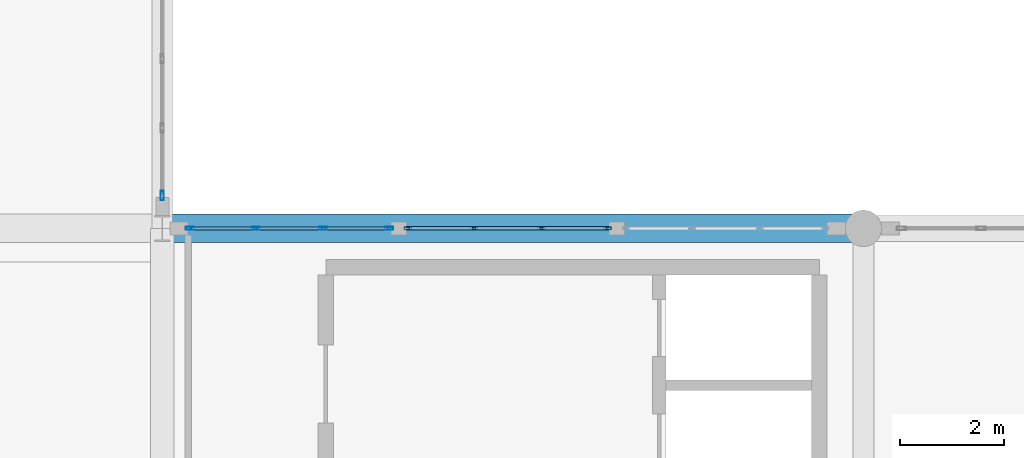
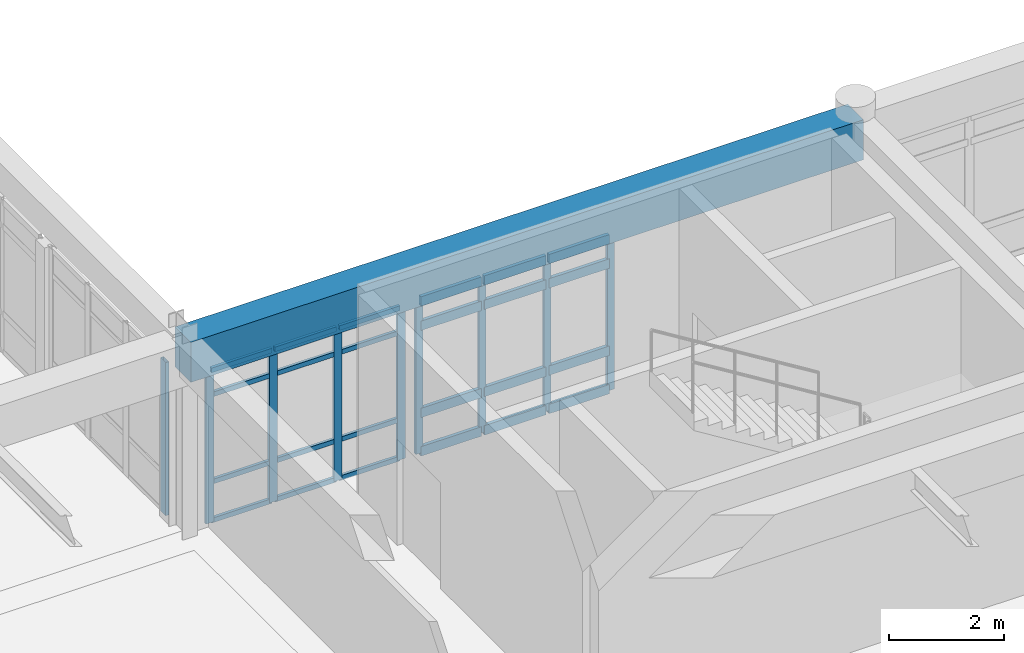
# One storey, part 25 of 80: 33 members, 1 beam, 3 elements without a shape of their own.
"""IFC4 building model written with IfcOpenShell, lengths in metres."""

from ifc_helpers import new_model, si_unit, direction, frame, origin, origin_2d, place, context, subcontext, project, spatial, rectangle, hollow_rectangle, extrude, material, layer, layer_set, material_profile, profile_set, type_object, element, aggregate, save


model = new_model("IFC4")

# Units and contexts
model_context = context("Model", 3, precision=1e-05, world=origin(), true_north=direction((0.0, 1.0)))
body_context = subcontext(model_context, "Body", "Model", "MODEL_VIEW")
ifc_project = project(units=[si_unit("LENGTHUNIT", "METRE"), si_unit("AREAUNIT", "SQUARE_METRE"), si_unit("VOLUMEUNIT", "CUBIC_METRE"), si_unit("PLANEANGLEUNIT", "RADIAN"), si_unit("MASSUNIT", "GRAM", prefix="KILO")], contexts=[model_context])

# Site, building, storey
site_placement = place(None, origin())
site = spatial("IfcSite", under=ifc_project, at=site_placement, CompositionType="ELEMENT")
building_placement = place(site_placement, origin())
building = spatial("IfcBuilding", under=site, at=building_placement, Name="Fikremerkos Civic Library", CompositionType="ELEMENT")
storey_placement = place(building_placement, frame((0.0, 0.0, 9.89990234375)))
storey = spatial("IfcBuildingStorey", under=building, at=storey_placement, Name="L02", CompositionType="ELEMENT", Elevation=9.89990234375)

# Curtain wall, member
ifc_material_1 = material(Name="Anodized aluminium Frame", Category="aluminium")
ifc_layer_1 = layer(ifc_material_1, 0.159912109375, Name="Anodized aluminium Frame")
ifc_layer_set_1 = layer_set([ifc_layer_1], Name="Anodized aluminium Frame")
curtain_wall_type_1 = type_object("IfcCurtainWallType", Name="Unitised curtain wall CW-05 3800x4100", PredefinedType="USERDEFINED", material=ifc_layer_set_1)
curtain_wall_1_placement = place(storey_placement, origin())
curtain_wall_1 = element("IfcCurtainWall", 1, at=curtain_wall_1_placement, inside=storey, type_object=curtain_wall_type_1, Name="Unitised curtain wall CW-05 L02 #167", ObjectType="UNITISED CURTAIN WALL", PredefinedType="USERDEFINED")
ifc_material_profile_1 = material_profile(ifc_material_1, hollow_rectangle(XDim=0.06494140625, YDim=0.179931640625, WallThickness=0.00439453125, at=origin_2d()), Name="ALU 180x65x4.5")
ifc_profile_set_1 = profile_set([ifc_material_profile_1], Name="Anodized aluminium Frame")
member_type_1 = type_object("IfcMemberType", Name="Curtain mullion CWM-01 ALU 180x65x4.5", PredefinedType="MULLION", material=ifc_profile_set_1)
member_1_placement = place(storey_placement, frame((100.199951171875, 31.83056640625, 0.0), z_axis=(0.0, 0.0, 1.0), x_axis=(1.0, 0.0, 0.0)))
member_1 = element("IfcMember", 2, at=member_1_placement, type_object=member_type_1, Name="CW-05 mullion 4", PredefinedType="MULLION", context=body_context, shape_type="SweptSolid", body=[
    extrude(hollow_rectangle(XDim=0.06494140625, YDim=0.179931640625, WallThickness=0.00439453125, at=origin_2d()), origin(), (0.0, 0.0, 1.0), 3.25),
])
aggregate(curtain_wall_1, [member_1])

# Curtain wall, members
ifc_layer_2 = layer(ifc_material_1, 0.159912109375, Name="Anodized aluminium Frame")
ifc_layer_set_2 = layer_set([ifc_layer_2], Name="Anodized aluminium Frame")
curtain_wall_type_2 = type_object("IfcCurtainWallType", Name="Unitised curtain wall CW-06 4200x4100", PredefinedType="USERDEFINED", material=ifc_layer_set_2)
curtain_wall_2_placement = place(storey_placement, origin())
curtain_wall_2 = element("IfcCurtainWall", 3, at=curtain_wall_2_placement, inside=storey, type_object=curtain_wall_type_2, Name="Unitised curtain wall CW-06 L02 #168", ObjectType="UNITISED CURTAIN WALL", PredefinedType="USERDEFINED")
ifc_material_profile_2 = material_profile(ifc_material_1, hollow_rectangle(XDim=0.06005859375, YDim=0.159912109375, WallThickness=0.00390625, at=origin_2d()), Name="ALU 160x60x4")
ifc_profile_set_2 = profile_set([ifc_material_profile_2], Name="Anodized aluminium Frame")
member_type_2 = type_object("IfcMemberType", Name="Curtain mullion CWM-02 ALU 160x60x4", PredefinedType="MULLION", material=ifc_profile_set_2)
member_2_placement = place(storey_placement, frame((100.72802734375, 31.199951171875, 0.0), z_axis=(0.0, 0.0, 1.0), x_axis=(0.0, 1.0, 0.0)))
member_2 = element("IfcMember", 4, at=member_2_placement, type_object=member_type_2, Name="CW-06 mullion 1", PredefinedType="MULLION", context=body_context, shape_type="SweptSolid", body=[
    extrude(hollow_rectangle(XDim=0.06005859375, YDim=0.159912109375, WallThickness=0.00390625, at=origin_2d()), origin(), (0.0, 0.0, 1.0), 3.25),
])
member_3_placement = place(storey_placement, frame((101.99853515625, 31.199951171875, 0.0), z_axis=(0.0, 0.0, 1.0), x_axis=(0.0, 1.0, 0.0)))
member_3 = element("IfcMember", 5, at=member_3_placement, type_object=member_type_2, Name="CW-06 mullion 2", PredefinedType="MULLION", context=body_context, shape_type="SweptSolid", body=[
    extrude(hollow_rectangle(XDim=0.06005859375, YDim=0.159912109375, WallThickness=0.00390625, at=origin_2d()), origin(), (0.0, 0.0, 1.0), 3.25),
])
member_4_placement = place(storey_placement, frame((103.298828125, 31.199951171875, 0.0), z_axis=(0.0, 0.0, 1.0), x_axis=(0.0, 1.0, 0.0)))
member_4 = element("IfcMember", 6, at=member_4_placement, type_object=member_type_2, Name="CW-06 mullion 3", PredefinedType="MULLION", context=body_context, shape_type="SweptSolid", body=[
    extrude(hollow_rectangle(XDim=0.06005859375, YDim=0.159912109375, WallThickness=0.00390625, at=origin_2d()), origin(), (0.0, 0.0, 1.0), 3.25),
])
member_5_placement = place(storey_placement, frame((104.5693359375, 31.199951171875, 0.0), z_axis=(0.0, 0.0, 1.0), x_axis=(0.0, 1.0, 0.0)))
member_5 = element("IfcMember", 7, at=member_5_placement, type_object=member_type_2, Name="CW-06 mullion 4", PredefinedType="MULLION", context=body_context, shape_type="SweptSolid", body=[
    extrude(hollow_rectangle(XDim=0.06005859375, YDim=0.159912109375, WallThickness=0.00390625, at=origin_2d()), origin(), (0.0, 0.0, 1.0), 3.25),
])

ifc_layer_3 = layer(ifc_material_1, 0.159912109375, Name="Anodized aluminium Frame")
ifc_layer_set_3 = layer_set([ifc_layer_3], Name="Anodized aluminium Frame")
curtain_wall_type_3 = type_object("IfcCurtainWallType", Name="Unitised curtain wall CW-07 3500x4100", PredefinedType="USERDEFINED", material=ifc_layer_set_3)
curtain_wall_3_placement = place(storey_placement, origin())
curtain_wall_3 = element("IfcCurtainWall", 8, at=curtain_wall_3_placement, inside=storey, type_object=curtain_wall_type_3, Name="Unitised curtain wall CW-07 L02 #169", ObjectType="UNITISED CURTAIN WALL", PredefinedType="USERDEFINED")
ifc_material_profile_3 = material_profile(ifc_material_1, hollow_rectangle(XDim=0.06005859375, YDim=0.139892578125, WallThickness=0.00390625, at=origin_2d()), Name="ALU 140x60x4")
ifc_profile_set_3 = profile_set([ifc_material_profile_3], Name="Anodized aluminium Frame")
member_type_3 = type_object("IfcMemberType", Name="Curtain mullion CWM-03 ALU 140x60x4", PredefinedType="MULLION", material=ifc_profile_set_3)
member_6_placement = place(storey_placement, frame((104.929443359375, 31.199951171875, 0.0), z_axis=(0.0, 0.0, 1.0), x_axis=(0.0, 1.0, 0.0)))
member_6 = element("IfcMember", 9, at=member_6_placement, type_object=member_type_3, Name="CW-07 mullion 1", PredefinedType="MULLION", context=body_context, shape_type="SweptSolid", body=[
    extrude(hollow_rectangle(XDim=0.06005859375, YDim=0.139892578125, WallThickness=0.00390625, at=origin_2d()), origin(), (0.0, 0.0, 1.0), 3.25),
])
member_7_placement = place(storey_placement, frame((106.19970703125, 31.199951171875, 0.0), z_axis=(0.0, 0.0, 1.0), x_axis=(0.0, 1.0, 0.0)))
member_7 = element("IfcMember", 10, at=member_7_placement, type_object=member_type_3, Name="CW-07 mullion 2", PredefinedType="MULLION", context=body_context, shape_type="SweptSolid", body=[
    extrude(hollow_rectangle(XDim=0.06005859375, YDim=0.139892578125, WallThickness=0.00390625, at=origin_2d()), origin(), (0.0, 0.0, 1.0), 3.25),
])
member_8_placement = place(storey_placement, frame((107.500244140625, 31.199951171875, 0.0), z_axis=(0.0, 0.0, 1.0), x_axis=(0.0, 1.0, 0.0)))
member_8 = element("IfcMember", 11, at=member_8_placement, type_object=member_type_3, Name="CW-07 mullion 3", PredefinedType="MULLION", context=body_context, shape_type="SweptSolid", body=[
    extrude(hollow_rectangle(XDim=0.06005859375, YDim=0.139892578125, WallThickness=0.00390625, at=origin_2d()), origin(), (0.0, 0.0, 1.0), 3.25),
])
member_9_placement = place(storey_placement, frame((108.770751953125, 31.199951171875, 0.0), z_axis=(0.0, 0.0, 1.0), x_axis=(0.0, 1.0, 0.0)))
member_9 = element("IfcMember", 12, at=member_9_placement, type_object=member_type_3, Name="CW-07 mullion 4", PredefinedType="MULLION", context=body_context, shape_type="SweptSolid", body=[
    extrude(hollow_rectangle(XDim=0.06005859375, YDim=0.139892578125, WallThickness=0.00390625, at=origin_2d()), origin(), (0.0, 0.0, 1.0), 3.25),
])

# Member
ifc_material_profile_4 = material_profile(ifc_material_1, hollow_rectangle(XDim=0.06005859375, YDim=0.10009765625, WallThickness=0.00390625, at=origin_2d()), Name="ALU 100x60x4")
ifc_profile_set_4 = profile_set([ifc_material_profile_4], Name="Anodized aluminium Frame")
member_type_4 = type_object("IfcMemberType", Name="Curtain transom CWT-03 ALU 100x60x4", PredefinedType="USERDEFINED", material=ifc_profile_set_4)
member_10_placement = place(storey_placement, frame((100.758056640625, 31.199951171875, 0.030029296875), z_axis=(1.0, 0.0, 0.0), x_axis=(0.0, 1.0, 0.0)))
member_10 = element("IfcMember", 13, at=member_10_placement, type_object=member_type_4, Name="CW-06 transom 1.1", ObjectType="TRANSOM", PredefinedType="USERDEFINED", context=body_context, shape_type="SweptSolid", body=[
    extrude(hollow_rectangle(XDim=0.06005859375, YDim=0.10009765625, WallThickness=0.00390625, at=origin_2d()), origin(), (0.0, 0.0, 1.0), 1.21044921875),
])

member_11_placement = place(storey_placement, frame((100.758056640625, 31.199951171875, 0.85009765625), z_axis=(1.0, 0.0, 0.0), x_axis=(0.0, 1.0, 0.0)))
member_11 = element("IfcMember", 14, at=member_11_placement, type_object=member_type_4, Name="CW-06 transom 1.2", ObjectType="TRANSOM", PredefinedType="USERDEFINED", context=body_context, shape_type="SweptSolid", body=[
    extrude(hollow_rectangle(XDim=0.06005859375, YDim=0.10009765625, WallThickness=0.00390625, at=origin_2d()), origin(), (0.0, 0.0, 1.0), 1.21044921875),
])

member_12_placement = place(storey_placement, frame((100.758056640625, 31.199951171875, 2.7001953125), z_axis=(1.0, 0.0, 0.0), x_axis=(0.0, 1.0, 0.0)))
member_12 = element("IfcMember", 15, at=member_12_placement, type_object=member_type_4, Name="CW-06 transom 1.3", ObjectType="TRANSOM", PredefinedType="USERDEFINED", context=body_context, shape_type="SweptSolid", body=[
    extrude(hollow_rectangle(XDim=0.06005859375, YDim=0.10009765625, WallThickness=0.00390625, at=origin_2d()), origin(), (0.0, 0.0, 1.0), 1.21044921875),
])

member_13_placement = place(storey_placement, frame((100.758056640625, 31.199951171875, 3.22021484375), z_axis=(1.0, 0.0, 0.0), x_axis=(0.0, 1.0, 0.0)))
member_13 = element("IfcMember", 16, at=member_13_placement, type_object=member_type_4, Name="CW-06 transom 1.4", ObjectType="TRANSOM", PredefinedType="USERDEFINED", context=body_context, shape_type="SweptSolid", body=[
    extrude(hollow_rectangle(XDim=0.06005859375, YDim=0.10009765625, WallThickness=0.00390625, at=origin_2d()), origin(), (0.0, 0.0, 1.0), 1.21044921875),
])

member_14_placement = place(storey_placement, frame((102.028564453125, 31.199951171875, 0.030029296875), z_axis=(1.0, 0.0, 0.0), x_axis=(0.0, 1.0, 0.0)))
member_14 = element("IfcMember", 17, at=member_14_placement, type_object=member_type_4, Name="CW-06 transom 2.1", ObjectType="TRANSOM", PredefinedType="USERDEFINED", context=body_context, shape_type="SweptSolid", body=[
    extrude(hollow_rectangle(XDim=0.06005859375, YDim=0.10009765625, WallThickness=0.00390625, at=origin_2d()), origin(), (0.0, 0.0, 1.0), 1.240234375),
])

member_15_placement = place(storey_placement, frame((102.028564453125, 31.199951171875, 0.85009765625), z_axis=(1.0, 0.0, 0.0), x_axis=(0.0, 1.0, 0.0)))
member_15 = element("IfcMember", 18, at=member_15_placement, type_object=member_type_4, Name="CW-06 transom 2.2", ObjectType="TRANSOM", PredefinedType="USERDEFINED", context=body_context, shape_type="SweptSolid", body=[
    extrude(hollow_rectangle(XDim=0.06005859375, YDim=0.10009765625, WallThickness=0.00390625, at=origin_2d()), origin(), (0.0, 0.0, 1.0), 1.240234375),
])

member_16_placement = place(storey_placement, frame((102.028564453125, 31.199951171875, 2.7001953125), z_axis=(1.0, 0.0, 0.0), x_axis=(0.0, 1.0, 0.0)))
member_16 = element("IfcMember", 19, at=member_16_placement, type_object=member_type_4, Name="CW-06 transom 2.3", ObjectType="TRANSOM", PredefinedType="USERDEFINED", context=body_context, shape_type="SweptSolid", body=[
    extrude(hollow_rectangle(XDim=0.06005859375, YDim=0.10009765625, WallThickness=0.00390625, at=origin_2d()), origin(), (0.0, 0.0, 1.0), 1.240234375),
])

member_17_placement = place(storey_placement, frame((102.028564453125, 31.199951171875, 3.22021484375), z_axis=(1.0, 0.0, 0.0), x_axis=(0.0, 1.0, 0.0)))
member_17 = element("IfcMember", 20, at=member_17_placement, type_object=member_type_4, Name="CW-06 transom 2.4", ObjectType="TRANSOM", PredefinedType="USERDEFINED", context=body_context, shape_type="SweptSolid", body=[
    extrude(hollow_rectangle(XDim=0.06005859375, YDim=0.10009765625, WallThickness=0.00390625, at=origin_2d()), origin(), (0.0, 0.0, 1.0), 1.240234375),
])

member_18_placement = place(storey_placement, frame((103.328857421875, 31.199951171875, 0.030029296875), z_axis=(1.0, 0.0, 0.0), x_axis=(0.0, 1.0, 0.0)))
member_18 = element("IfcMember", 21, at=member_18_placement, type_object=member_type_4, Name="CW-06 transom 3.1", ObjectType="TRANSOM", PredefinedType="USERDEFINED", context=body_context, shape_type="SweptSolid", body=[
    extrude(hollow_rectangle(XDim=0.06005859375, YDim=0.10009765625, WallThickness=0.00390625, at=origin_2d()), origin(), (0.0, 0.0, 1.0), 1.21044921875),
])

member_19_placement = place(storey_placement, frame((103.328857421875, 31.199951171875, 0.85009765625), z_axis=(1.0, 0.0, 0.0), x_axis=(0.0, 1.0, 0.0)))
member_19 = element("IfcMember", 22, at=member_19_placement, type_object=member_type_4, Name="CW-06 transom 3.2", ObjectType="TRANSOM", PredefinedType="USERDEFINED", context=body_context, shape_type="SweptSolid", body=[
    extrude(hollow_rectangle(XDim=0.06005859375, YDim=0.10009765625, WallThickness=0.00390625, at=origin_2d()), origin(), (0.0, 0.0, 1.0), 1.21044921875),
])

member_20_placement = place(storey_placement, frame((103.328857421875, 31.199951171875, 2.7001953125), z_axis=(1.0, 0.0, 0.0), x_axis=(0.0, 1.0, 0.0)))
member_20 = element("IfcMember", 23, at=member_20_placement, type_object=member_type_4, Name="CW-06 transom 3.3", ObjectType="TRANSOM", PredefinedType="USERDEFINED", context=body_context, shape_type="SweptSolid", body=[
    extrude(hollow_rectangle(XDim=0.06005859375, YDim=0.10009765625, WallThickness=0.00390625, at=origin_2d()), origin(), (0.0, 0.0, 1.0), 1.21044921875),
])

member_21_placement = place(storey_placement, frame((103.328857421875, 31.199951171875, 3.22021484375), z_axis=(1.0, 0.0, 0.0), x_axis=(0.0, 1.0, 0.0)))
member_21 = element("IfcMember", 24, at=member_21_placement, type_object=member_type_4, Name="CW-06 transom 3.4", ObjectType="TRANSOM", PredefinedType="USERDEFINED", context=body_context, shape_type="SweptSolid", body=[
    extrude(hollow_rectangle(XDim=0.06005859375, YDim=0.10009765625, WallThickness=0.00390625, at=origin_2d()), origin(), (0.0, 0.0, 1.0), 1.21044921875),
])

aggregate(curtain_wall_2, [member_2, member_3, member_4, member_5, member_10, member_11, member_12, member_13, member_14, member_15, member_16, member_17, member_18, member_19, member_20, member_21])

ifc_material_profile_5 = material_profile(ifc_material_1, hollow_rectangle(XDim=0.070068359375, YDim=0.199951171875, WallThickness=0.0048828125, at=origin_2d()), Name="ALU 200x70x5")
ifc_profile_set_5 = profile_set([ifc_material_profile_5], Name="Anodized aluminium Frame")
member_type_5 = type_object("IfcMemberType", Name="Curtain transom CWT-04 ALU 200x70x5", PredefinedType="USERDEFINED", material=ifc_profile_set_5)
member_22_placement = place(storey_placement, frame((104.959228515625, 31.199951171875, 0.03515625), z_axis=(1.0, 0.0, 0.0), x_axis=(0.0, 1.0, 0.0)))
member_22 = element("IfcMember", 25, at=member_22_placement, type_object=member_type_5, Name="CW-07 transom 1.1", ObjectType="TRANSOM", PredefinedType="USERDEFINED", context=body_context, shape_type="SweptSolid", body=[
    extrude(hollow_rectangle(XDim=0.070068359375, YDim=0.199951171875, WallThickness=0.0048828125, at=origin_2d()), origin(), (0.0, 0.0, 1.0), 1.21044921875),
])

member_23_placement = place(storey_placement, frame((104.959228515625, 31.199951171875, 0.85009765625), z_axis=(1.0, 0.0, 0.0), x_axis=(0.0, 1.0, 0.0)))
member_23 = element("IfcMember", 26, at=member_23_placement, type_object=member_type_5, Name="CW-07 transom 1.2", ObjectType="TRANSOM", PredefinedType="USERDEFINED", context=body_context, shape_type="SweptSolid", body=[
    extrude(hollow_rectangle(XDim=0.070068359375, YDim=0.199951171875, WallThickness=0.0048828125, at=origin_2d()), origin(), (0.0, 0.0, 1.0), 1.21044921875),
])

member_24_placement = place(storey_placement, frame((104.959228515625, 31.199951171875, 2.7001953125), z_axis=(1.0, 0.0, 0.0), x_axis=(0.0, 1.0, 0.0)))
member_24 = element("IfcMember", 27, at=member_24_placement, type_object=member_type_5, Name="CW-07 transom 1.3", ObjectType="TRANSOM", PredefinedType="USERDEFINED", context=body_context, shape_type="SweptSolid", body=[
    extrude(hollow_rectangle(XDim=0.070068359375, YDim=0.199951171875, WallThickness=0.0048828125, at=origin_2d()), origin(), (0.0, 0.0, 1.0), 1.21044921875),
])

member_25_placement = place(storey_placement, frame((104.959228515625, 31.199951171875, 3.215087890625), z_axis=(1.0, 0.0, 0.0), x_axis=(0.0, 1.0, 0.0)))
member_25 = element("IfcMember", 28, at=member_25_placement, type_object=member_type_5, Name="CW-07 transom 1.4", ObjectType="TRANSOM", PredefinedType="USERDEFINED", context=body_context, shape_type="SweptSolid", body=[
    extrude(hollow_rectangle(XDim=0.070068359375, YDim=0.199951171875, WallThickness=0.0048828125, at=origin_2d()), origin(), (0.0, 0.0, 1.0), 1.21044921875),
])

member_26_placement = place(storey_placement, frame((106.229736328125, 31.199951171875, 0.03515625), z_axis=(1.0, 0.0, 0.0), x_axis=(0.0, 1.0, 0.0)))
member_26 = element("IfcMember", 29, at=member_26_placement, type_object=member_type_5, Name="CW-07 transom 2.1", ObjectType="TRANSOM", PredefinedType="USERDEFINED", context=body_context, shape_type="SweptSolid", body=[
    extrude(hollow_rectangle(XDim=0.070068359375, YDim=0.199951171875, WallThickness=0.0048828125, at=origin_2d()), origin(), (0.0, 0.0, 1.0), 1.240478515625),
])

member_27_placement = place(storey_placement, frame((106.229736328125, 31.199951171875, 0.85009765625), z_axis=(1.0, 0.0, 0.0), x_axis=(0.0, 1.0, 0.0)))
member_27 = element("IfcMember", 30, at=member_27_placement, type_object=member_type_5, Name="CW-07 transom 2.2", ObjectType="TRANSOM", PredefinedType="USERDEFINED", context=body_context, shape_type="SweptSolid", body=[
    extrude(hollow_rectangle(XDim=0.070068359375, YDim=0.199951171875, WallThickness=0.0048828125, at=origin_2d()), origin(), (0.0, 0.0, 1.0), 1.240478515625),
])

member_28_placement = place(storey_placement, frame((106.229736328125, 31.199951171875, 2.7001953125), z_axis=(1.0, 0.0, 0.0), x_axis=(0.0, 1.0, 0.0)))
member_28 = element("IfcMember", 31, at=member_28_placement, type_object=member_type_5, Name="CW-07 transom 2.3", ObjectType="TRANSOM", PredefinedType="USERDEFINED", context=body_context, shape_type="SweptSolid", body=[
    extrude(hollow_rectangle(XDim=0.070068359375, YDim=0.199951171875, WallThickness=0.0048828125, at=origin_2d()), origin(), (0.0, 0.0, 1.0), 1.240478515625),
])

member_29_placement = place(storey_placement, frame((106.229736328125, 31.199951171875, 3.215087890625), z_axis=(1.0, 0.0, 0.0), x_axis=(0.0, 1.0, 0.0)))
member_29 = element("IfcMember", 32, at=member_29_placement, type_object=member_type_5, Name="CW-07 transom 2.4", ObjectType="TRANSOM", PredefinedType="USERDEFINED", context=body_context, shape_type="SweptSolid", body=[
    extrude(hollow_rectangle(XDim=0.070068359375, YDim=0.199951171875, WallThickness=0.0048828125, at=origin_2d()), origin(), (0.0, 0.0, 1.0), 1.240478515625),
])

member_30_placement = place(storey_placement, frame((107.5302734375, 31.199951171875, 0.03515625), z_axis=(1.0, 0.0, 0.0), x_axis=(0.0, 1.0, 0.0)))
member_30 = element("IfcMember", 33, at=member_30_placement, type_object=member_type_5, Name="CW-07 transom 3.1", ObjectType="TRANSOM", PredefinedType="USERDEFINED", context=body_context, shape_type="SweptSolid", body=[
    extrude(hollow_rectangle(XDim=0.070068359375, YDim=0.199951171875, WallThickness=0.0048828125, at=origin_2d()), origin(), (0.0, 0.0, 1.0), 1.21044921875),
])

member_31_placement = place(storey_placement, frame((107.5302734375, 31.199951171875, 0.85009765625), z_axis=(1.0, 0.0, 0.0), x_axis=(0.0, 1.0, 0.0)))
member_31 = element("IfcMember", 34, at=member_31_placement, type_object=member_type_5, Name="CW-07 transom 3.2", ObjectType="TRANSOM", PredefinedType="USERDEFINED", context=body_context, shape_type="SweptSolid", body=[
    extrude(hollow_rectangle(XDim=0.070068359375, YDim=0.199951171875, WallThickness=0.0048828125, at=origin_2d()), origin(), (0.0, 0.0, 1.0), 1.21044921875),
])

member_32_placement = place(storey_placement, frame((107.5302734375, 31.199951171875, 2.7001953125), z_axis=(1.0, 0.0, 0.0), x_axis=(0.0, 1.0, 0.0)))
member_32 = element("IfcMember", 35, at=member_32_placement, type_object=member_type_5, Name="CW-07 transom 3.3", ObjectType="TRANSOM", PredefinedType="USERDEFINED", context=body_context, shape_type="SweptSolid", body=[
    extrude(hollow_rectangle(XDim=0.070068359375, YDim=0.199951171875, WallThickness=0.0048828125, at=origin_2d()), origin(), (0.0, 0.0, 1.0), 1.21044921875),
])

member_33_placement = place(storey_placement, frame((107.5302734375, 31.199951171875, 3.215087890625), z_axis=(1.0, 0.0, 0.0), x_axis=(0.0, 1.0, 0.0)))
member_33 = element("IfcMember", 36, at=member_33_placement, type_object=member_type_5, Name="CW-07 transom 3.4", ObjectType="TRANSOM", PredefinedType="USERDEFINED", context=body_context, shape_type="SweptSolid", body=[
    extrude(hollow_rectangle(XDim=0.070068359375, YDim=0.199951171875, WallThickness=0.0048828125, at=origin_2d()), origin(), (0.0, 0.0, 1.0), 1.21044921875),
])

aggregate(curtain_wall_3, [member_6, member_7, member_8, member_9, member_22, member_23, member_24, member_25, member_26, member_27, member_28, member_29, member_30, member_31, member_32, member_33])

# Beam
ifc_material_2 = material(Name="Concrete C40/50", Category="concrete")
ifc_material_profile_6 = material_profile(ifc_material_2, rectangle(XDim=0.550048828125, YDim=0.85009765625, at=origin_2d()), Name="RC 550x850")
ifc_profile_set_6 = profile_set([ifc_material_profile_6], Name="Concrete C40/50")
beam_type = type_object("IfcBeamType", Name="Primary girder BM-03 RC 550x850", PredefinedType="BEAM", material=ifc_profile_set_6)
beam_placement = place(storey_placement, frame((100.199951171875, 31.199951171875, 3.735107421875), z_axis=(1.0, 0.0, 0.0), x_axis=(0.0, 1.0, 0.0)))
element("IfcBeam", 37, at=beam_placement, inside=storey, type_object=beam_type, Name="Primary girder BM-03 L02 grid G", PredefinedType="BEAM", context=body_context, shape_type="SweptSolid", body=[
    extrude(rectangle(XDim=0.550048828125, YDim=0.85009765625, at=origin_2d()), origin(), (0.0, 0.0, 1.0), 13.5),
])

save(model, "model.ifc")
